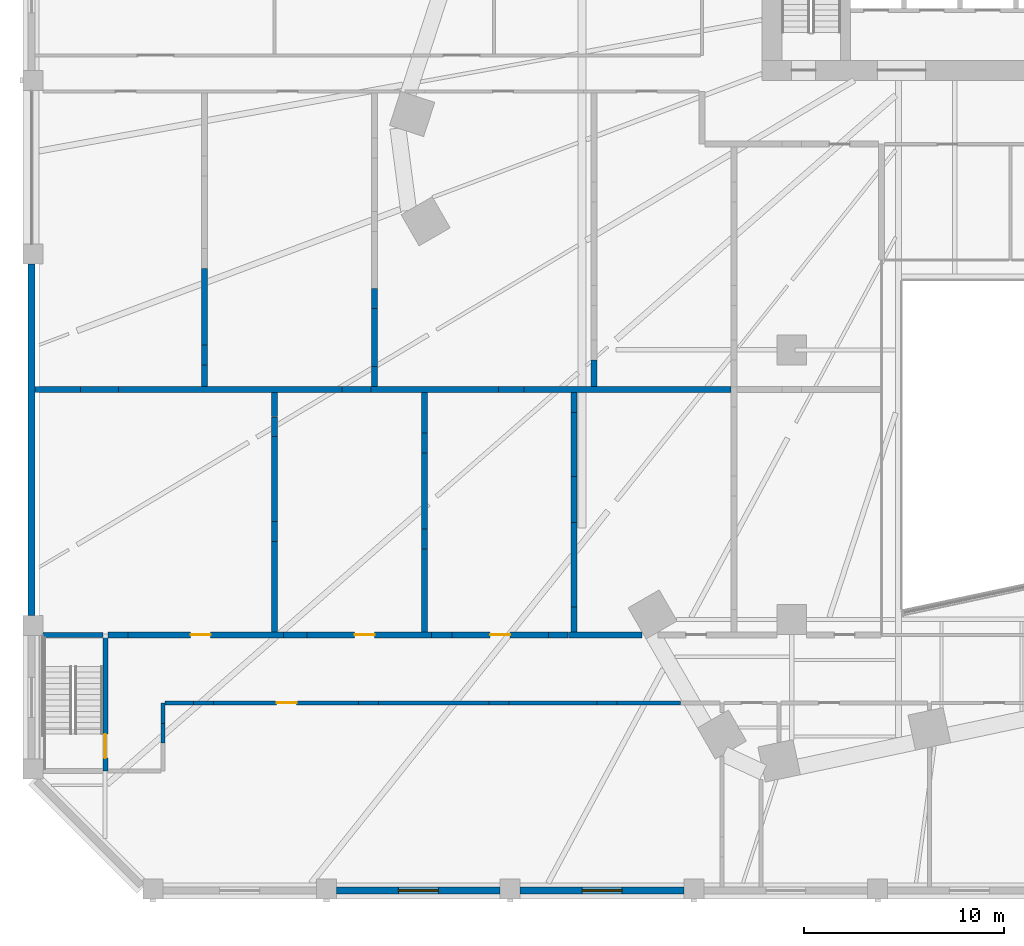
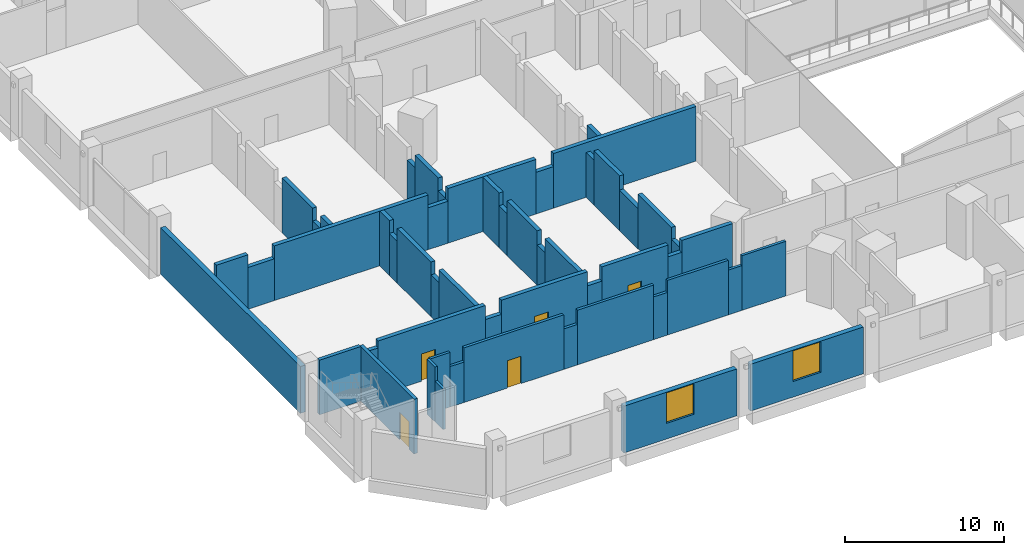
# One storey, part 13 of 33: 53 walls, 5 doors, 2 windows, 7 openings.
"""IFC4 building model written with IfcOpenShell, lengths in metres."""

from ifc_helpers import new_model, si_unit, direction, frame, frame_2d, origin, place, context, subcontext, project, spatial, rectangle, extrude, material, layer, layer_set, type_object, element, fill, save


model = new_model("IFC4")

# Units and contexts
model_context = context("Model", 3, precision=1e-05, world=origin(), true_north=direction((0.0, 1.0)))
body_context = subcontext(model_context, "Body", "Model", "MODEL_VIEW")
ifc_project = project(units=[si_unit("LENGTHUNIT", "METRE"), si_unit("AREAUNIT", "SQUARE_METRE"), si_unit("VOLUMEUNIT", "CUBIC_METRE"), si_unit("PLANEANGLEUNIT", "RADIAN"), si_unit("MASSUNIT", "GRAM", prefix="KILO")], contexts=[model_context])

# Site, building, storey
site_placement = place(None, origin())
site = spatial("IfcSite", under=ifc_project, at=site_placement, CompositionType="ELEMENT")
building_placement = place(site_placement, origin())
building = spatial("IfcBuilding", under=site, at=building_placement, Name="Isthmus Gate Tower", CompositionType="ELEMENT")
storey_placement = place(building_placement, frame((0.0, 0.0, 22.5)))
storey = spatial("IfcBuildingStorey", under=building, at=storey_placement, Name="L03", CompositionType="ELEMENT", Elevation=22.5)

# Wall
ifc_material_1 = material(Name="Double-leaf gypsum board with mineral wool, resilient mounted")
ifc_layer_1 = layer(ifc_material_1, 0.300048828125)
ifc_layer_set_1 = layer_set([ifc_layer_1], Name="Acoustic studio wall 300 double leaf")
wall_type_1 = type_object("IfcWallType", Name="Acoustic studio wall 300 double leaf", PredefinedType="PARTITIONING", material=ifc_layer_set_1)
wall_1_placement = place(storey_placement, frame((-47.75, -27.779052734375, 0.0), z_axis=(0.0, 0.0, 1.0), x_axis=(1.0, 0.0, 0.0)))
element("IfcWall", 1, at=wall_1_placement, inside=storey, type_object=wall_type_1, Name="Acoustic studio wall", PredefinedType="PARTITIONING", context=body_context, shape_type="SweptSolid", body=[
    extrude(rectangle(XDim=1.0, YDim=0.300048828125, at=frame_2d((0.5, 0.0))), origin(), (0.0, 0.0, 1.0), 3.66650390625),
])

# Wall, opening, door
wall_2_placement = place(storey_placement, frame((-46.75, -27.779052734375, 0.0), z_axis=(0.0, 0.0, 1.0), x_axis=(1.0, 0.0, 0.0)))
wall_2 = element("IfcWall", 2, at=wall_2_placement, inside=storey, type_object=wall_type_1, Name="Acoustic studio wall", PredefinedType="PARTITIONING", context=body_context, shape_type="SweptSolid", body=[
    extrude(rectangle(XDim=7.78759765625, YDim=0.300048828125, at=frame_2d((3.893798828125, 0.0))), origin(), (0.0, 0.0, 1.0), 4.199951171875),
])
opening_1_placement = place(wall_2_placement, frame((3.14990234375, 0.0, 0.0)))
opening_1 = element("IfcOpeningElement", 3, at=opening_1_placement, cuts=wall_2, Name="Opening DP03-14", PredefinedType="OPENING", context=body_context, shape_type="SweptSolid", body=[
    extrude(rectangle(XDim=1.0, YDim=2.10009765625, at=frame_2d((0.5, 1.050048828125))), frame((0.0, 0.159912109375, 0.0), z_axis=(0.0, -1.0, 0.0), x_axis=(1.0, 0.0, 0.0)), (0.0, 0.0, 1.0), 0.320068359375),
])
ifc_material_2 = material(Name="Hollow metal frame with solid-core timber leaf", Category="wood")
door_type_1 = type_object("IfcDoorType", Name="Single swing door 1000 x 2100", OperationType="SINGLE_SWING_LEFT", PredefinedType="DOOR", material=ifc_material_2)
door_1_placement = place(opening_1_placement, origin())
door_1 = element("IfcDoor", 4, at=door_1_placement, inside=storey, type_object=door_type_1, Name="Door DP03-14", OperationType="SINGLE_SWING_LEFT", OverallHeight=2.10009765625, OverallWidth=1.0, PredefinedType="DOOR", context=body_context, shape_type="SweptSolid", body=[
    extrude(rectangle(XDim=1.0, YDim=2.10009765625, at=frame_2d((0.5, 1.050048828125))), frame((0.0, 0.02490234375, 0.0), z_axis=(0.0, -1.0, 0.0), x_axis=(1.0, 0.0, 0.0)), (0.0, 0.0, 1.0), 0.050048828125),
])
fill(opening_1, door_1)

# Wall
wall_3_placement = place(storey_placement, frame((-38.96240234375, -27.779052734375, 0.0), z_axis=(0.0, 0.0, 1.0), x_axis=(1.0, 0.0, 0.0)))
element("IfcWall", 5, at=wall_3_placement, inside=storey, type_object=wall_type_1, Name="Acoustic studio wall", PredefinedType="PARTITIONING", context=body_context, shape_type="SweptSolid", body=[
    extrude(rectangle(XDim=1.173828125, YDim=0.300048828125, at=frame_2d((0.5869140625, 0.0))), origin(), (0.0, 0.0, 1.0), 3.111083984375),
])

# Wall, opening, door
wall_4_placement = place(storey_placement, frame((-37.78857421875, -27.779052734375, 0.0), z_axis=(0.0, 0.0, 1.0), x_axis=(1.0, 0.0, 0.0)))
wall_4 = element("IfcWall", 6, at=wall_4_placement, inside=storey, type_object=wall_type_1, Name="Acoustic studio wall", PredefinedType="PARTITIONING", context=body_context, shape_type="SweptSolid", body=[
    extrude(rectangle(XDim=6.251708984375, YDim=0.300048828125, at=frame_2d((3.1259765625, 0.0))), origin(), (0.0, 0.0, 1.0), 4.199951171875),
])
opening_2_placement = place(wall_4_placement, frame((2.39990234375, 0.0, 0.0)))
opening_2 = element("IfcOpeningElement", 7, at=opening_2_placement, cuts=wall_4, Name="Opening DP03-15", PredefinedType="OPENING", context=body_context, shape_type="SweptSolid", body=[
    extrude(rectangle(XDim=1.0, YDim=2.10009765625, at=frame_2d((0.5, 1.050048828125))), frame((0.0, 0.159912109375, 0.0), z_axis=(0.0, -1.0, 0.0), x_axis=(1.0, 0.0, 0.0)), (0.0, 0.0, 1.0), 0.320068359375),
])
door_2_placement = place(opening_2_placement, origin())
door_2 = element("IfcDoor", 8, at=door_2_placement, inside=storey, type_object=door_type_1, Name="Door DP03-15", OperationType="SINGLE_SWING_LEFT", OverallHeight=2.10009765625, OverallWidth=1.0, PredefinedType="DOOR", context=body_context, shape_type="SweptSolid", body=[
    extrude(rectangle(XDim=1.0, YDim=2.10009765625, at=frame_2d((0.5, 1.050048828125))), frame((0.0, 0.02490234375, 0.0), z_axis=(0.0, -1.0, 0.0), x_axis=(1.0, 0.0, 0.0)), (0.0, 0.0, 1.0), 0.050048828125),
])
fill(opening_2, door_2)

# Wall
wall_5_placement = place(storey_placement, frame((-31.536865234375, -27.779052734375, 0.0), z_axis=(0.0, 0.0, 1.0), x_axis=(1.0, 0.0, 0.0)))
element("IfcWall", 9, at=wall_5_placement, inside=storey, type_object=wall_type_1, Name="Acoustic studio wall", PredefinedType="PARTITIONING", context=body_context, shape_type="SweptSolid", body=[
    extrude(rectangle(XDim=1.031982421875, YDim=0.300048828125, at=frame_2d((0.51611328125, 0.0))), origin(), (0.0, 0.0, 1.0), 3.111083984375),
])

# Wall, opening, door
wall_6_placement = place(storey_placement, frame((-30.5048828125, -27.779052734375, 0.0), z_axis=(0.0, 0.0, 1.0), x_axis=(1.0, 0.0, 0.0)))
wall_6 = element("IfcWall", 10, at=wall_6_placement, inside=storey, type_object=wall_type_1, Name="Acoustic studio wall", PredefinedType="PARTITIONING", context=body_context, shape_type="SweptSolid", body=[
    extrude(rectangle(XDim=4.81201171875, YDim=0.300048828125, at=frame_2d((2.406005859375, 0.0))), origin(), (0.0, 0.0, 1.0), 4.199951171875),
])
opening_3_placement = place(wall_6_placement, frame((1.89990234375, 0.0, 0.0)))
opening_3 = element("IfcOpeningElement", 11, at=opening_3_placement, cuts=wall_6, Name="Opening DP03-16", PredefinedType="OPENING", context=body_context, shape_type="SweptSolid", body=[
    extrude(rectangle(XDim=1.0, YDim=2.10009765625, at=frame_2d((0.5, 1.050048828125))), frame((0.0, 0.159912109375, 0.0), z_axis=(0.0, -1.0, 0.0), x_axis=(1.0, 0.0, 0.0)), (0.0, 0.0, 1.0), 0.320068359375),
])
door_3_placement = place(opening_3_placement, origin())
door_3 = element("IfcDoor", 12, at=door_3_placement, inside=storey, type_object=door_type_1, Name="Door DP03-16", OperationType="SINGLE_SWING_LEFT", OverallHeight=2.10009765625, OverallWidth=1.0, PredefinedType="DOOR", context=body_context, shape_type="SweptSolid", body=[
    extrude(rectangle(XDim=1.0, YDim=2.10009765625, at=frame_2d((0.5, 1.050048828125))), frame((0.0, 0.02490234375, 0.0), z_axis=(0.0, -1.0, 0.0), x_axis=(1.0, 0.0, 0.0)), (0.0, 0.0, 1.0), 0.050048828125),
])
fill(opening_3, door_3)

# Walls
wall_7_placement = place(storey_placement, frame((-25.69287109375, -27.779052734375, 0.0), z_axis=(0.0, 0.0, 1.0), x_axis=(1.0, 0.0, 0.0)))
element("IfcWall", 13, at=wall_7_placement, inside=storey, type_object=wall_type_1, Name="Acoustic studio wall", PredefinedType="PARTITIONING", context=body_context, shape_type="SweptSolid", body=[
    extrude(rectangle(XDim=1.0, YDim=0.300048828125, at=frame_2d((0.5, 0.0))), origin(), (0.0, 0.0, 1.0), 3.28564453125),
])
wall_8_placement = place(storey_placement, frame((-24.69287109375, -27.779052734375, 0.0), z_axis=(0.0, 0.0, 1.0), x_axis=(1.0, 0.0, 0.0)))
element("IfcWall", 14, at=wall_8_placement, inside=storey, type_object=wall_type_1, Name="Acoustic studio wall", PredefinedType="PARTITIONING", context=body_context, shape_type="SweptSolid", body=[
    extrude(rectangle(XDim=3.694091796875, YDim=0.300048828125, at=frame_2d((1.84716796875, 0.0))), origin(), (0.0, 0.0, 1.0), 4.199951171875),
])
wall_9_placement = place(storey_placement, frame((-51.39990234375, -15.489013671875, 0.0), z_axis=(0.0, 0.0, 1.0), x_axis=(1.0, 0.0, 0.0)))
element("IfcWall", 15, at=wall_9_placement, inside=storey, type_object=wall_type_1, Name="Acoustic studio wall", PredefinedType="PARTITIONING", context=body_context, shape_type="SweptSolid", body=[
    extrude(rectangle(XDim=2.289306640625, YDim=0.300048828125, at=frame_2d((1.14453125, 0.0))), origin(), (0.0, 0.0, 1.0), 4.199951171875),
])
wall_10_placement = place(storey_placement, frame((-49.110595703125, -15.489013671875, 0.0), z_axis=(0.0, 0.0, 1.0), x_axis=(1.0, 0.0, 0.0)))
element("IfcWall", 16, at=wall_10_placement, inside=storey, type_object=wall_type_1, Name="Acoustic studio wall", PredefinedType="PARTITIONING", context=body_context, shape_type="SweptSolid", body=[
    extrude(rectangle(XDim=1.905517578125, YDim=0.300048828125, at=frame_2d((0.95263671875, 0.0))), origin(), (0.0, 0.0, 1.0), 3.218994140625),
])
wall_11_placement = place(storey_placement, frame((-47.205078125, -15.489013671875, 0.0), z_axis=(0.0, 0.0, 1.0), x_axis=(1.0, 0.0, 0.0)))
element("IfcWall", 17, at=wall_11_placement, inside=storey, type_object=wall_type_1, Name="Acoustic studio wall", PredefinedType="PARTITIONING", context=body_context, shape_type="SweptSolid", body=[
    extrude(rectangle(XDim=11.181396484375, YDim=0.300048828125, at=frame_2d((5.5908203125, 0.0))), origin(), (0.0, 0.0, 1.0), 4.199951171875),
])
wall_12_placement = place(storey_placement, frame((-36.023681640625, -15.489013671875, 0.0), z_axis=(0.0, 0.0, 1.0), x_axis=(1.0, 0.0, 0.0)))
element("IfcWall", 18, at=wall_12_placement, inside=storey, type_object=wall_type_1, Name="Acoustic studio wall", PredefinedType="PARTITIONING", context=body_context, shape_type="SweptSolid", body=[
    extrude(rectangle(XDim=1.447998046875, YDim=0.300048828125, at=frame_2d((0.72412109375, 0.0))), origin(), (0.0, 0.0, 1.0), 3.218994140625),
])
wall_13_placement = place(storey_placement, frame((-34.57568359375, -15.489013671875, 0.0), z_axis=(0.0, 0.0, 1.0), x_axis=(1.0, 0.0, 0.0)))
element("IfcWall", 19, at=wall_13_placement, inside=storey, type_object=wall_type_1, Name="Acoustic studio wall", PredefinedType="PARTITIONING", context=body_context, shape_type="SweptSolid", body=[
    extrude(rectangle(XDim=6.394775390625, YDim=0.300048828125, at=frame_2d((3.197265625, 0.0))), origin(), (0.0, 0.0, 1.0), 4.199951171875),
])
wall_14_placement = place(storey_placement, frame((-28.180908203125, -15.489013671875, 0.0), z_axis=(0.0, 0.0, 1.0), x_axis=(1.0, 0.0, 0.0)))
element("IfcWall", 20, at=wall_14_placement, inside=storey, type_object=wall_type_1, Name="Acoustic studio wall", PredefinedType="PARTITIONING", context=body_context, shape_type="SweptSolid", body=[
    extrude(rectangle(XDim=1.27001953125, YDim=0.300048828125, at=frame_2d((0.635009765625, 0.0))), origin(), (0.0, 0.0, 1.0), 3.199951171875),
])
wall_15_placement = place(storey_placement, frame((-26.910888671875, -15.489013671875, 0.0), z_axis=(0.0, 0.0, 1.0), x_axis=(1.0, 0.0, 0.0)))
element("IfcWall", 21, at=wall_15_placement, inside=storey, type_object=wall_type_1, Name="Acoustic studio wall", PredefinedType="PARTITIONING", context=body_context, shape_type="SweptSolid", body=[
    extrude(rectangle(XDim=10.36083984375, YDim=0.300048828125, at=frame_2d((5.180419921875, 0.0))), origin(), (0.0, 0.0, 1.0), 4.199951171875),
])
wall_16_placement = place(storey_placement, frame((-42.89990234375, -15.339111328125, 0.0), z_axis=(0.0, 0.0, 1.0), x_axis=(0.0, 1.0, 0.0)))
element("IfcWall", 22, at=wall_16_placement, inside=storey, type_object=wall_type_1, Name="Acoustic studio wall", PredefinedType="PARTITIONING", context=body_context, shape_type="SweptSolid", body=[
    extrude(rectangle(XDim=1.089599609375, YDim=0.300048828125, at=frame_2d((0.544921875, 0.0))), origin(), (0.0, 0.0, 1.0), 4.199951171875),
])
wall_17_placement = place(storey_placement, frame((-42.89990234375, -14.24951171875, 0.0), z_axis=(0.0, 0.0, 1.0), x_axis=(0.0, 1.0, 0.0)))
element("IfcWall", 23, at=wall_17_placement, inside=storey, type_object=wall_type_1, Name="Acoustic studio wall", PredefinedType="PARTITIONING", context=body_context, shape_type="SweptSolid", body=[
    extrude(rectangle(XDim=1.0, YDim=0.300048828125, at=frame_2d((0.5, 0.0))), origin(), (0.0, 0.0, 1.0), 3.218994140625),
])
wall_18_placement = place(storey_placement, frame((-42.89990234375, -13.24951171875, 0.0), z_axis=(0.0, 0.0, 1.0), x_axis=(0.0, 1.0, 0.0)))
element("IfcWall", 24, at=wall_18_placement, inside=storey, type_object=wall_type_1, Name="Acoustic studio wall", PredefinedType="PARTITIONING", context=body_context, shape_type="SweptSolid", body=[
    extrude(rectangle(XDim=3.83349609375, YDim=0.300048828125, at=frame_2d((1.916748046875, 0.0))), origin(), (0.0, 0.0, 1.0), 4.199951171875),
])
wall_19_placement = place(storey_placement, frame((-39.39990234375, -27.62890625, 0.0), z_axis=(0.0, 0.0, 1.0), x_axis=(0.0, 1.0, 0.0)))
element("IfcWall", 25, at=wall_19_placement, inside=storey, type_object=wall_type_1, Name="Acoustic studio wall", PredefinedType="PARTITIONING", context=body_context, shape_type="SweptSolid", body=[
    extrude(rectangle(XDim=4.53662109375, YDim=0.300048828125, at=frame_2d((2.268310546875, 0.0))), origin(), (0.0, 0.0, 1.0), 4.199951171875),
])
wall_20_placement = place(storey_placement, frame((-39.39990234375, -23.09228515625, 0.0), z_axis=(0.0, 0.0, 1.0), x_axis=(0.0, 1.0, 0.0)))
element("IfcWall", 26, at=wall_20_placement, inside=storey, type_object=wall_type_1, Name="Acoustic studio wall", PredefinedType="PARTITIONING", context=body_context, shape_type="SweptSolid", body=[
    extrude(rectangle(XDim=1.0, YDim=0.300048828125, at=frame_2d((0.5, 0.0))), origin(), (0.0, 0.0, 1.0), 3.218994140625),
])
wall_21_placement = place(storey_placement, frame((-39.39990234375, -22.09228515625, 0.0), z_axis=(0.0, 0.0, 1.0), x_axis=(0.0, 1.0, 0.0)))
element("IfcWall", 27, at=wall_21_placement, inside=storey, type_object=wall_type_1, Name="Acoustic studio wall", PredefinedType="PARTITIONING", context=body_context, shape_type="SweptSolid", body=[
    extrude(rectangle(XDim=4.24267578125, YDim=0.300048828125, at=frame_2d((2.121337890625, 0.0))), origin(), (0.0, 0.0, 1.0), 4.199951171875),
])
wall_22_placement = place(storey_placement, frame((-39.39990234375, -17.849609375, 0.0), z_axis=(0.0, 0.0, 1.0), x_axis=(0.0, 1.0, 0.0)))
element("IfcWall", 28, at=wall_22_placement, inside=storey, type_object=wall_type_1, Name="Acoustic studio wall", PredefinedType="PARTITIONING", context=body_context, shape_type="SweptSolid", body=[
    extrude(rectangle(XDim=1.0, YDim=0.300048828125, at=frame_2d((0.5, 0.0))), origin(), (0.0, 0.0, 1.0), 3.218994140625),
])
wall_23_placement = place(storey_placement, frame((-39.39990234375, -16.849609375, 0.0), z_axis=(0.0, 0.0, 1.0), x_axis=(0.0, 1.0, 0.0)))
element("IfcWall", 29, at=wall_23_placement, inside=storey, type_object=wall_type_1, Name="Acoustic studio wall", PredefinedType="PARTITIONING", context=body_context, shape_type="SweptSolid", body=[
    extrude(rectangle(XDim=1.210693359375, YDim=0.300048828125, at=frame_2d((0.60546875, 0.0))), origin(), (0.0, 0.0, 1.0), 4.199951171875),
])
wall_24_placement = place(storey_placement, frame((-34.39990234375, -15.339111328125, 0.0), z_axis=(0.0, 0.0, 1.0), x_axis=(0.0, 1.0, 0.0)))
element("IfcWall", 30, at=wall_24_placement, inside=storey, type_object=wall_type_1, Name="Acoustic studio wall", PredefinedType="PARTITIONING", context=body_context, shape_type="SweptSolid", body=[
    extrude(rectangle(XDim=1.0, YDim=0.300048828125, at=frame_2d((0.5, 0.0))), origin(), (0.0, 0.0, 1.0), 3.218994140625),
])
wall_25_placement = place(storey_placement, frame((-34.39990234375, -14.339111328125, 0.0), z_axis=(0.0, 0.0, 1.0), x_axis=(0.0, 1.0, 0.0)))
element("IfcWall", 31, at=wall_25_placement, inside=storey, type_object=wall_type_1, Name="Acoustic studio wall", PredefinedType="PARTITIONING", context=body_context, shape_type="SweptSolid", body=[
    extrude(rectangle(XDim=2.9013671875, YDim=0.300048828125, at=frame_2d((1.45068359375, 0.0))), origin(), (0.0, 0.0, 1.0), 4.199951171875),
])
wall_26_placement = place(storey_placement, frame((-34.39990234375, -11.437744140625, 0.0), z_axis=(0.0, 0.0, 1.0), x_axis=(0.0, 1.0, 0.0)))
element("IfcWall", 32, at=wall_26_placement, inside=storey, type_object=wall_type_1, Name="Acoustic studio wall", PredefinedType="PARTITIONING", context=body_context, shape_type="SweptSolid", body=[
    extrude(rectangle(XDim=1.0, YDim=0.300048828125, at=frame_2d((0.5, 0.0))), origin(), (0.0, 0.0, 1.0), 3.218994140625),
])
wall_27_placement = place(storey_placement, frame((-31.89990234375, -27.62890625, 0.0), z_axis=(0.0, 0.0, 1.0), x_axis=(0.0, 1.0, 0.0)))
element("IfcWall", 33, at=wall_27_placement, inside=storey, type_object=wall_type_1, Name="Acoustic studio wall", PredefinedType="PARTITIONING", context=body_context, shape_type="SweptSolid", body=[
    extrude(rectangle(XDim=4.160888671875, YDim=0.300048828125, at=frame_2d((2.08056640625, 0.0))), origin(), (0.0, 0.0, 1.0), 4.199951171875),
])
wall_28_placement = place(storey_placement, frame((-31.89990234375, -23.468017578125, 0.0), z_axis=(0.0, 0.0, 1.0), x_axis=(0.0, 1.0, 0.0)))
element("IfcWall", 34, at=wall_28_placement, inside=storey, type_object=wall_type_1, Name="Acoustic studio wall", PredefinedType="PARTITIONING", context=body_context, shape_type="SweptSolid", body=[
    extrude(rectangle(XDim=1.0, YDim=0.300048828125, at=frame_2d((0.5, 0.0))), origin(), (0.0, 0.0, 1.0), 3.111083984375),
])
wall_29_placement = place(storey_placement, frame((-31.89990234375, -22.468017578125, 0.0), z_axis=(0.0, 0.0, 1.0), x_axis=(0.0, 1.0, 0.0)))
element("IfcWall", 35, at=wall_29_placement, inside=storey, type_object=wall_type_1, Name="Acoustic studio wall", PredefinedType="PARTITIONING", context=body_context, shape_type="SweptSolid", body=[
    extrude(rectangle(XDim=3.794921875, YDim=0.300048828125, at=frame_2d((1.8974609375, 0.0))), origin(), (0.0, 0.0, 1.0), 4.199951171875),
])
wall_30_placement = place(storey_placement, frame((-31.89990234375, -18.673095703125, 0.0), z_axis=(0.0, 0.0, 1.0), x_axis=(0.0, 1.0, 0.0)))
element("IfcWall", 36, at=wall_30_placement, inside=storey, type_object=wall_type_1, Name="Acoustic studio wall", PredefinedType="PARTITIONING", context=body_context, shape_type="SweptSolid", body=[
    extrude(rectangle(XDim=1.0, YDim=0.300048828125, at=frame_2d((0.5, 0.0))), origin(), (0.0, 0.0, 1.0), 3.218994140625),
])
wall_31_placement = place(storey_placement, frame((-31.89990234375, -17.673095703125, 0.0), z_axis=(0.0, 0.0, 1.0), x_axis=(0.0, 1.0, 0.0)))
element("IfcWall", 37, at=wall_31_placement, inside=storey, type_object=wall_type_1, Name="Acoustic studio wall", PredefinedType="PARTITIONING", context=body_context, shape_type="SweptSolid", body=[
    extrude(rectangle(XDim=2.0341796875, YDim=0.300048828125, at=frame_2d((1.01708984375, 0.0))), origin(), (0.0, 0.0, 1.0), 4.199951171875),
])
wall_32_placement = place(storey_placement, frame((-24.39990234375, -27.62890625, 0.0), z_axis=(0.0, 0.0, 1.0), x_axis=(0.0, 1.0, 0.0)))
element("IfcWall", 38, at=wall_32_placement, inside=storey, type_object=wall_type_1, Name="Acoustic studio wall", PredefinedType="PARTITIONING", context=body_context, shape_type="SweptSolid", body=[
    extrude(rectangle(XDim=1.256103515625, YDim=0.300048828125, at=frame_2d((0.6279296875, 0.0))), origin(), (0.0, 0.0, 1.0), 3.28564453125),
])
wall_33_placement = place(storey_placement, frame((-24.39990234375, -26.372802734375, 0.0), z_axis=(0.0, 0.0, 1.0), x_axis=(0.0, 1.0, 0.0)))
element("IfcWall", 39, at=wall_33_placement, inside=storey, type_object=wall_type_1, Name="Acoustic studio wall", PredefinedType="PARTITIONING", context=body_context, shape_type="SweptSolid", body=[
    extrude(rectangle(XDim=4.2294921875, YDim=0.300048828125, at=frame_2d((2.11474609375, 0.0))), origin(), (0.0, 0.0, 1.0), 4.199951171875),
])
wall_34_placement = place(storey_placement, frame((-24.39990234375, -22.143310546875, 0.0), z_axis=(0.0, 0.0, 1.0), x_axis=(0.0, 1.0, 0.0)))
element("IfcWall", 40, at=wall_34_placement, inside=storey, type_object=wall_type_1, Name="Acoustic studio wall", PredefinedType="PARTITIONING", context=body_context, shape_type="SweptSolid", body=[
    extrude(rectangle(XDim=2.305419921875, YDim=0.300048828125, at=frame_2d((1.15283203125, 0.0))), origin(), (0.0, 0.0, 1.0), 3.111083984375),
])
wall_35_placement = place(storey_placement, frame((-24.39990234375, -19.837890625, 0.0), z_axis=(0.0, 0.0, 1.0), x_axis=(0.0, 1.0, 0.0)))
element("IfcWall", 41, at=wall_35_placement, inside=storey, type_object=wall_type_1, Name="Acoustic studio wall", PredefinedType="PARTITIONING", context=body_context, shape_type="SweptSolid", body=[
    extrude(rectangle(XDim=3.198974609375, YDim=0.300048828125, at=frame_2d((1.599609375, 0.0))), origin(), (0.0, 0.0, 1.0), 4.199951171875),
])
wall_36_placement = place(storey_placement, frame((-24.39990234375, -16.638916015625, 0.0), z_axis=(0.0, 0.0, 1.0), x_axis=(0.0, 1.0, 0.0)))
element("IfcWall", 42, at=wall_36_placement, inside=storey, type_object=wall_type_1, Name="Acoustic studio wall", PredefinedType="PARTITIONING", context=body_context, shape_type="SweptSolid", body=[
    extrude(rectangle(XDim=1.0, YDim=0.300048828125, at=frame_2d((0.5, 0.0))), origin(), (0.0, 0.0, 1.0), 3.45068359375),
])
wall_37_placement = place(storey_placement, frame((-23.39990234375, -15.339111328125, 0.0), z_axis=(0.0, 0.0, 1.0), x_axis=(0.0, 1.0, 0.0)))
element("IfcWall", 43, at=wall_37_placement, inside=storey, type_object=wall_type_1, Name="Acoustic studio wall", PredefinedType="PARTITIONING", context=body_context, shape_type="SweptSolid", body=[
    extrude(rectangle(XDim=1.339111328125, YDim=0.300048828125, at=frame_2d((0.66943359375, 0.0))), origin(), (0.0, 0.0, 1.0), 4.199951171875),
])
ifc_material_3 = material(Name="Concrete f'c 30 MPa", Category="concrete")
ifc_layer_2 = layer(ifc_material_3, 0.199951171875)
ifc_layer_set_2 = layer_set([ifc_layer_2], Name="Fire-rated block wall 200")
wall_type_2 = type_object("IfcWallType", Name="Fire-rated block wall 200", PredefinedType="PARTITIONING", material=ifc_layer_set_2)
wall_38_placement = place(storey_placement, frame((-44.89990234375, -31.178955078125, 0.0), z_axis=(0.0, 0.0, 1.0), x_axis=(1.0, 0.0, 0.0)))
element("IfcWall", 44, at=wall_38_placement, inside=storey, type_object=wall_type_2, Name="Fire-rated wall", PredefinedType="PARTITIONING", context=body_context, shape_type="SweptSolid", body=[
    extrude(rectangle(XDim=1.445068359375, YDim=0.199951171875, at=frame_2d((0.72265625, 0.0))), origin(), (0.0, 0.0, 1.0), 4.199951171875),
])
wall_39_placement = place(storey_placement, frame((-43.454833984375, -31.178955078125, 0.0), z_axis=(0.0, 0.0, 1.0), x_axis=(1.0, 0.0, 0.0)))
element("IfcWall", 45, at=wall_39_placement, inside=storey, type_object=wall_type_2, Name="Fire-rated wall", PredefinedType="PARTITIONING", context=body_context, shape_type="SweptSolid", body=[
    extrude(rectangle(XDim=1.006103515625, YDim=0.199951171875, at=frame_2d((0.5029296875, 0.0))), origin(), (0.0, 0.0, 1.0), 3.111083984375),
])

# Wall, opening, door
wall_40_placement = place(storey_placement, frame((-42.44873046875, -31.178955078125, 0.0), z_axis=(0.0, 0.0, 1.0), x_axis=(1.0, 0.0, 0.0)))
wall_40 = element("IfcWall", 46, at=wall_40_placement, inside=storey, type_object=wall_type_2, Name="Fire-rated wall", PredefinedType="PARTITIONING", context=body_context, shape_type="SweptSolid", body=[
    extrude(rectangle(XDim=7.244873046875, YDim=0.199951171875, at=frame_2d((3.62255859375, 0.0))), origin(), (0.0, 0.0, 1.0), 4.199951171875),
])
opening_4_placement = place(wall_40_placement, frame((3.14990234375, 0.0, 0.0)))
opening_4 = element("IfcOpeningElement", 47, at=opening_4_placement, cuts=wall_40, Name="Opening DP03-46", PredefinedType="OPENING", context=body_context, shape_type="SweptSolid", body=[
    extrude(rectangle(XDim=1.0, YDim=2.10009765625, at=frame_2d((0.5, 1.050048828125))), frame((0.0, 0.10986328125, 0.0), z_axis=(0.0, -1.0, 0.0), x_axis=(1.0, 0.0, 0.0)), (0.0, 0.0, 1.0), 0.219970703125),
])
ifc_material_4 = material(Name="Steel fire door with intumescent seals", Category="steel")
door_type_2 = type_object("IfcDoorType", Name="Fire door 1000 x 2100", OperationType="SINGLE_SWING_LEFT", PredefinedType="DOOR", material=ifc_material_4)
door_4_placement = place(opening_4_placement, origin())
door_4 = element("IfcDoor", 48, at=door_4_placement, inside=storey, type_object=door_type_2, Name="Door DP03-46", OperationType="SINGLE_SWING_LEFT", OverallHeight=2.10009765625, OverallWidth=1.0, PredefinedType="DOOR", context=body_context, shape_type="SweptSolid", body=[
    extrude(rectangle(XDim=1.0, YDim=2.10009765625, at=frame_2d((0.5, 1.050048828125))), frame((0.0, 0.02490234375, 0.0), z_axis=(0.0, -1.0, 0.0), x_axis=(1.0, 0.0, 0.0)), (0.0, 0.0, 1.0), 0.050048828125),
])
fill(opening_4, door_4)

# Walls
wall_41_placement = place(storey_placement, frame((-35.203857421875, -31.178955078125, 0.0), z_axis=(0.0, 0.0, 1.0), x_axis=(1.0, 0.0, 0.0)))
element("IfcWall", 49, at=wall_41_placement, inside=storey, type_object=wall_type_2, Name="Fire-rated wall", PredefinedType="PARTITIONING", context=body_context, shape_type="SweptSolid", body=[
    extrude(rectangle(XDim=1.0, YDim=0.199951171875, at=frame_2d((0.5, 0.0))), origin(), (0.0, 0.0, 1.0), 3.111083984375),
])
wall_42_placement = place(storey_placement, frame((-34.203857421875, -31.178955078125, 0.0), z_axis=(0.0, 0.0, 1.0), x_axis=(1.0, 0.0, 0.0)))
element("IfcWall", 50, at=wall_42_placement, inside=storey, type_object=wall_type_2, Name="Fire-rated wall", PredefinedType="PARTITIONING", context=body_context, shape_type="SweptSolid", body=[
    extrude(rectangle(XDim=5.535888671875, YDim=0.199951171875, at=frame_2d((2.76806640625, 0.0))), origin(), (0.0, 0.0, 1.0), 4.199951171875),
])
wall_43_placement = place(storey_placement, frame((-28.66796875, -31.178955078125, 0.0), z_axis=(0.0, 0.0, 1.0), x_axis=(1.0, 0.0, 0.0)))
element("IfcWall", 51, at=wall_43_placement, inside=storey, type_object=wall_type_2, Name="Fire-rated wall", PredefinedType="PARTITIONING", context=body_context, shape_type="SweptSolid", body=[
    extrude(rectangle(XDim=1.0, YDim=0.199951171875, at=frame_2d((0.5, 0.0))), origin(), (0.0, 0.0, 1.0), 3.28564453125),
])
wall_44_placement = place(storey_placement, frame((-27.66796875, -31.178955078125, 0.0), z_axis=(0.0, 0.0, 1.0), x_axis=(1.0, 0.0, 0.0)))
element("IfcWall", 52, at=wall_44_placement, inside=storey, type_object=wall_type_2, Name="Fire-rated wall", PredefinedType="PARTITIONING", context=body_context, shape_type="SweptSolid", body=[
    extrude(rectangle(XDim=4.41796875, YDim=0.199951171875, at=frame_2d((2.208984375, 0.0))), origin(), (0.0, 0.0, 1.0), 4.199951171875),
])
wall_45_placement = place(storey_placement, frame((-23.25, -31.178955078125, 0.0), z_axis=(0.0, 0.0, 1.0), x_axis=(1.0, 0.0, 0.0)))
element("IfcWall", 53, at=wall_45_placement, inside=storey, type_object=wall_type_2, Name="Fire-rated wall", PredefinedType="PARTITIONING", context=body_context, shape_type="SweptSolid", body=[
    extrude(rectangle(XDim=1.0, YDim=0.199951171875, at=frame_2d((0.5, 0.0))), origin(), (0.0, 0.0, 1.0), 3.441162109375),
])
wall_46_placement = place(storey_placement, frame((-22.25, -31.178955078125, 0.0), z_axis=(0.0, 0.0, 1.0), x_axis=(1.0, 0.0, 0.0)))
element("IfcWall", 54, at=wall_46_placement, inside=storey, type_object=wall_type_2, Name="Fire-rated wall", PredefinedType="PARTITIONING", context=body_context, shape_type="SweptSolid", body=[
    extrude(rectangle(XDim=3.185302734375, YDim=0.199951171875, at=frame_2d((1.5927734375, 0.0))), origin(), (0.0, 0.0, 1.0), 4.199951171875),
])
wall_47_placement = place(storey_placement, frame((-45.0, -33.20068359375, 0.0), z_axis=(0.0, 0.0, 1.0), x_axis=(0.0, 1.0, 0.0)))
element("IfcWall", 55, at=wall_47_placement, inside=storey, type_object=wall_type_2, Name="Fire-rated wall", PredefinedType="PARTITIONING", context=body_context, shape_type="SweptSolid", body=[
    extrude(rectangle(XDim=1.0, YDim=0.199951171875, at=frame_2d((0.5, 0.0))), origin(), (0.0, 0.0, 1.0), 3.111083984375),
])
wall_48_placement = place(storey_placement, frame((-45.0, -32.20068359375, 0.0), z_axis=(0.0, 0.0, 1.0), x_axis=(0.0, 1.0, 0.0)))
element("IfcWall", 56, at=wall_48_placement, inside=storey, type_object=wall_type_2, Name="Fire-rated wall", PredefinedType="PARTITIONING", context=body_context, shape_type="SweptSolid", body=[
    extrude(rectangle(XDim=1.021728515625, YDim=0.199951171875, at=frame_2d((0.5107421875, 0.0))), origin(), (0.0, 0.0, 1.0), 4.199951171875),
])

# Wall, opening, window
ifc_material_5 = material(Name="Precast concrete C40/50, limestone-faced", Category="masonry")
ifc_layer_3 = layer(ifc_material_5, 0.35009765625)
ifc_layer_set_3 = layer_set([ifc_layer_3], Name="PODIUM CLADDING WALL 350")
wall_type_3 = type_object("IfcWallType", Name="PODIUM CLADDING WALL 350", PredefinedType="SOLIDWALL", material=ifc_layer_set_3)
wall_49_placement = place(storey_placement, frame((-36.300048828125, -40.574951171875, -0.300048828125), z_axis=(0.0, 0.0, 1.0), x_axis=(1.0, 0.0, 0.0)))
wall_49 = element("IfcWall", 57, at=wall_49_placement, inside=storey, type_object=wall_type_3, Name="PODIUM WALL", PredefinedType="SOLIDWALL", context=body_context, shape_type="SweptSolid", body=[
    extrude(rectangle(XDim=8.199951171875, YDim=0.35009765625, at=frame_2d((4.10009765625, 0.0))), origin(), (0.0, 0.0, 1.0), 3.60009765625),
])
opening_5_placement = place(wall_49_placement, frame((3.10009765625, 0.0, 1.199951171875)))
opening_5 = element("IfcOpeningElement", 58, at=opening_5_placement, cuts=wall_49, Name="Opening W034", PredefinedType="OPENING", context=body_context, shape_type="SweptSolid", body=[
    extrude(rectangle(XDim=2.0, YDim=2.35009765625, at=frame_2d((1.0, 1.175048828125))), frame((0.0, 0.18505859375, 0.0), z_axis=(0.0, -1.0, 0.0), x_axis=(1.0, 0.0, 0.0)), (0.0, 0.0, 1.0), 0.3701171875),
])
ifc_material_6 = material(Name="Aluminium, pale champagne anodised, laminated glass", Category="aluminium")
window_type = type_object("IfcWindowType", Name="PODIUM SLOT WINDOW 2000 X 2350", PartitioningType="SINGLE_PANEL", PredefinedType="WINDOW", material=ifc_material_6)
window_1_placement = place(opening_5_placement, origin())
window_1 = element("IfcWindow", 59, at=window_1_placement, inside=storey, type_object=window_type, Name="SLOT WINDOW", OverallHeight=2.35009765625, OverallWidth=2.0, PartitioningType="SINGLE_PANEL", PredefinedType="WINDOW", context=body_context, shape_type="SweptSolid", body=[
    extrude(rectangle(XDim=2.0, YDim=2.35009765625, at=frame_2d((1.0, 1.175048828125))), frame((0.0, 0.030029296875, 0.0), z_axis=(0.0, -1.0, 0.0), x_axis=(1.0, 0.0, 0.0)), (0.0, 0.0, 1.0), 0.06005859375),
])
fill(opening_5, window_1)

wall_50_placement = place(storey_placement, frame((-27.10009765625, -40.574951171875, -0.300048828125), z_axis=(0.0, 0.0, 1.0), x_axis=(1.0, 0.0, 0.0)))
wall_50 = element("IfcWall", 60, at=wall_50_placement, inside=storey, type_object=wall_type_3, Name="PODIUM WALL", PredefinedType="SOLIDWALL", context=body_context, shape_type="SweptSolid", body=[
    extrude(rectangle(XDim=8.2001953125, YDim=0.35009765625, at=frame_2d((4.10009765625, 0.0))), origin(), (0.0, 0.0, 1.0), 3.60009765625),
])
opening_6_placement = place(wall_50_placement, frame((3.10009765625, 0.0, 1.199951171875)))
opening_6 = element("IfcOpeningElement", 61, at=opening_6_placement, cuts=wall_50, Name="Opening W035", PredefinedType="OPENING", context=body_context, shape_type="SweptSolid", body=[
    extrude(rectangle(XDim=2.0, YDim=2.35009765625, at=frame_2d((1.0, 1.175048828125))), frame((0.0, 0.18505859375, 0.0), z_axis=(0.0, -1.0, 0.0), x_axis=(1.0, 0.0, 0.0)), (0.0, 0.0, 1.0), 0.3701171875),
])
window_2_placement = place(opening_6_placement, origin())
window_2 = element("IfcWindow", 62, at=window_2_placement, inside=storey, type_object=window_type, Name="SLOT WINDOW", OverallHeight=2.35009765625, OverallWidth=2.0, PartitioningType="SINGLE_PANEL", PredefinedType="WINDOW", context=body_context, shape_type="SweptSolid", body=[
    extrude(rectangle(XDim=2.0, YDim=2.35009765625, at=frame_2d((1.0, 1.175048828125))), frame((0.0, 0.030029296875, 0.0), z_axis=(0.0, -1.0, 0.0), x_axis=(1.0, 0.0, 0.0)), (0.0, 0.0, 1.0), 0.06005859375),
])
fill(opening_6, window_2)

# Walls
wall_51_placement = place(storey_placement, frame((-51.574951171875, -9.199951171875, -0.300048828125), z_axis=(0.0, 0.0, 1.0), x_axis=(0.0, -1.0, 0.0)))
element("IfcWall", 63, at=wall_51_placement, inside=storey, type_object=wall_type_3, Name="PODIUM WALL", PredefinedType="SOLIDWALL", context=body_context, shape_type="SweptSolid", body=[
    extrude(rectangle(XDim=17.60009765625, YDim=0.35009765625, at=frame_2d((8.800048828125, 0.0))), origin(), (0.0, 0.0, 1.0), 3.60009765625),
])
ifc_material_7 = material(Name="Concrete f'c 40 MPa", Category="concrete")
ifc_layer_4 = layer(ifc_material_7, 0.25)
ifc_layer_set_4 = layer_set([ifc_layer_4])
wall_type_4 = type_object("IfcWallType", Name="Stair shaft wall 250 reinforced concrete", PredefinedType="SHEAR", material=ifc_layer_set_4)
wall_52_placement = place(storey_placement, frame((-51.0, -27.779052734375, 0.0), z_axis=(0.0, 0.0, 1.0), x_axis=(1.0, 0.0, 0.0)))
element("IfcWall", 64, at=wall_52_placement, inside=storey, type_object=wall_type_4, Name="Stair shaft wall", PredefinedType="SHEAR", context=body_context, shape_type="SweptSolid", body=[
    extrude(rectangle(XDim=3.0, YDim=0.25, at=frame_2d((1.5, 0.0))), origin(), (0.0, 0.0, 1.0), 4.199951171875),
])

# Wall, opening, door
wall_53_placement = place(storey_placement, frame((-47.875, -34.60009765625, 0.0), z_axis=(0.0, 0.0, 1.0), x_axis=(0.0, 1.0, 0.0)))
wall_53 = element("IfcWall", 65, at=wall_53_placement, inside=storey, type_object=wall_type_4, Name="Stair shaft wall", PredefinedType="SHEAR", context=body_context, shape_type="SweptSolid", body=[
    extrude(rectangle(XDim=6.821044921875, YDim=0.25, at=frame_2d((3.41064453125, 0.0))), origin(), (0.0, 0.0, 1.0), 4.199951171875),
])
opening_7_placement = place(wall_53_placement, frame((0.64990234375, 0.0, 0.0)))
opening_7 = element("IfcOpeningElement", 66, at=opening_7_placement, cuts=wall_53, Name="Opening DP03-07", PredefinedType="OPENING", context=body_context, shape_type="SweptSolid", body=[
    extrude(rectangle(XDim=1.199951171875, YDim=2.10009765625, at=frame_2d((0.60009765625, 1.050048828125))), frame((0.0, 0.135009765625, 0.0), z_axis=(0.0, -1.0, 0.0), x_axis=(1.0, 0.0, 0.0)), (0.0, 0.0, 1.0), 0.27001953125),
])
ifc_material_8 = material(Name="Steel fire door with intumescent seals", Category="steel")
door_type_3 = type_object("IfcDoorType", Name="Fire door 1200 x 2100", OperationType="SINGLE_SWING_LEFT", PredefinedType="DOOR", material=ifc_material_8)
door_5_placement = place(opening_7_placement, origin())
door_5 = element("IfcDoor", 67, at=door_5_placement, inside=storey, type_object=door_type_3, Name="Door DP03-07", OperationType="SINGLE_SWING_LEFT", OverallHeight=2.10009765625, OverallWidth=1.199951171875, PredefinedType="DOOR", context=body_context, shape_type="SweptSolid", body=[
    extrude(rectangle(XDim=1.199951171875, YDim=2.10009765625, at=frame_2d((0.60009765625, 1.050048828125))), frame((0.0, 0.02490234375, 0.0), z_axis=(0.0, -1.0, 0.0), x_axis=(1.0, 0.0, 0.0)), (0.0, 0.0, 1.0), 0.050048828125),
])
fill(opening_7, door_5)

save(model, "model.ifc")
